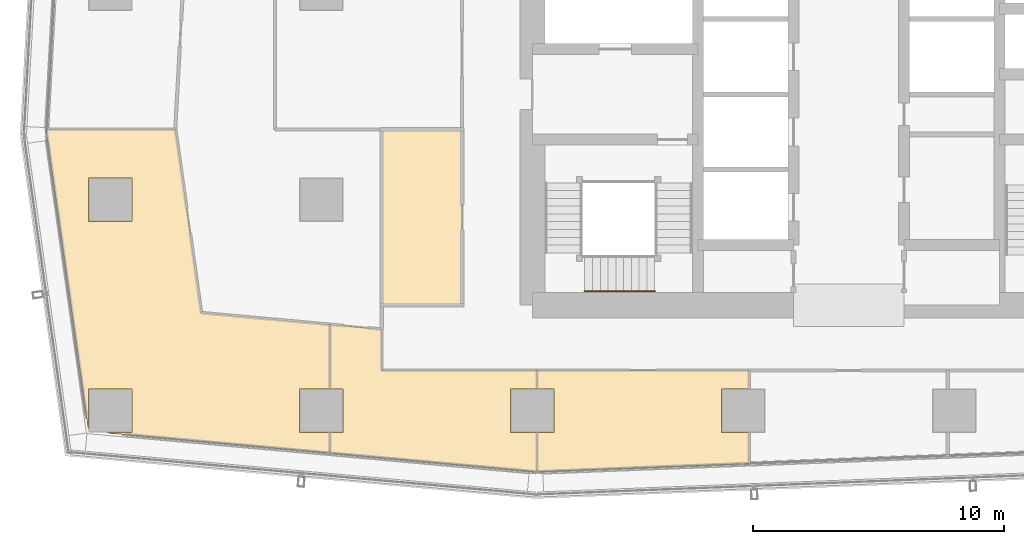
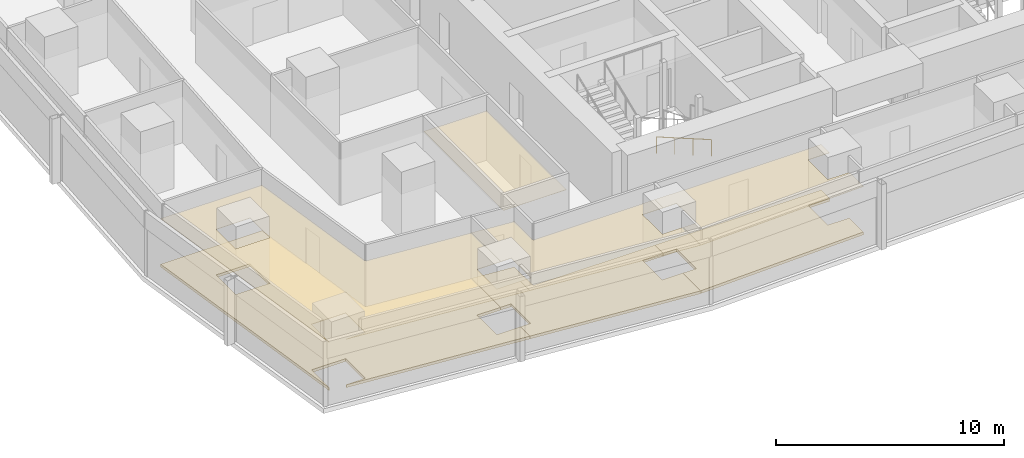
# One storey, part 33 of 40: 7 coverings, 1 railing.
"""IFC4 building model written with IfcOpenShell, lengths in metres."""

import ifcopenshell
import ifcopenshell.guid

model = None  # the IFC model being written
_history = None  # IfcOwnerHistory: only IFC2X3 demands one
_inside = {}  # id of a spatial element -> (the spatial element, [elements in it])
_under = {}  # id of a project, library or spatial element -> (it, [spatial elements below it])
_declared = {}  # id of a project -> (the project, [libraries it declares])
_typed = {}  # id of a type object -> (the type object, [elements of that type])
_made_of = {}  # id of a material, layer set ... -> (it, [elements and type objects made of it])


def new_model(schema):
    """Start an empty IFC model of exactly this schema.

    Asked for "IFC4X3", IfcOpenShell would pick the latest addendum, in which some entities
    have other attributes; the version numbers below select the first issue.
    IFC2X3 requires an IfcOwnerHistory on every rooted entity: one is made here for all.
    """
    global model, _history
    if schema == "IFC4X3":
        model = ifcopenshell.file(schema_version=(4, 3, 0, 0))
    else:
        model = ifcopenshell.file(schema=schema)
    _inside.clear()
    _under.clear()
    _declared.clear()
    _typed.clear()
    _made_of.clear()
    _history = None
    if model.schema == "IFC2X3":
        org = make("IfcOrganization", Name="unknown")
        user = make(
            "IfcPersonAndOrganization",
            ThePerson=make("IfcPerson", FamilyName="unknown"),
            TheOrganization=org,
        )
        app = make(
            "IfcApplication",
            ApplicationDeveloper=org,
            Version="unknown",
            ApplicationFullName="unknown",
            ApplicationIdentifier="unknown",
        )
        _history = make(
            "IfcOwnerHistory",
            OwningUser=user,
            OwningApplication=app,
            ChangeAction="ADDED",
            CreationDate=0,
        )
    return model


def make(cls, **values):
    """One entity of the class cls with the attributes given. An attribute that is None is left unset."""
    return model.create_entity(
        cls, **{name: value for name, value in values.items() if value is not None}
    )


def rooted(cls, **values):
    """An entity with a GlobalId (a new one), such as an element, a storey or a relation."""
    return make(cls, GlobalId=ifcopenshell.guid.new(), OwnerHistory=_history, **values)


def si_unit(unit_type, name, prefix=None):
    """IfcSIUnit, for example si_unit("LENGTHUNIT", "METRE", prefix="MILLI")."""
    return make("IfcSIUnit", UnitType=unit_type, Prefix=prefix, Name=name)


def assignment(units):
    """IfcUnitAssignment: the units of a project."""
    return None if units is None else make("IfcUnitAssignment", Units=units)


def point(xyz):
    """IfcCartesianPoint."""
    return None if xyz is None else make("IfcCartesianPoint", Coordinates=xyz)


def direction(xyz):
    """IfcDirection."""
    return None if xyz is None else make("IfcDirection", DirectionRatios=xyz)


def frame(location, z_axis=None, x_axis=None):
    """IfcAxis2Placement3D, a coordinate frame: its origin and axes. An axis left out is left unset."""
    return make(
        "IfcAxis2Placement3D",
        Location=point(location),
        Axis=direction(z_axis),
        RefDirection=direction(x_axis),
    )


def frame_2d(location, x_axis=None):
    """IfcAxis2Placement2D, a coordinate frame in the plane: its origin and x axis."""
    return make(
        "IfcAxis2Placement2D", Location=point(location), RefDirection=direction(x_axis)
    )


def origin():
    """The frame at (0, 0, 0) with its axes left unset."""
    return frame((0.0, 0.0, 0.0))


def origin_2d():
    """The frame at (0, 0) in the plane with its x axis left unset."""
    return frame_2d((0.0, 0.0))


def place(relative_to, where):
    """IfcLocalPlacement: puts the frame where relative to a parent placement (None: the world)."""
    return make(
        "IfcLocalPlacement", PlacementRelTo=relative_to, RelativePlacement=where
    )


def context(
    kind, dimensions, precision=None, world=None, true_north=None, identifier=None
):
    """IfcGeometricRepresentationContext, for example the 3D "Model" context."""
    return make(
        "IfcGeometricRepresentationContext",
        ContextIdentifier=identifier,
        ContextType=kind,
        CoordinateSpaceDimension=dimensions,
        Precision=precision,
        WorldCoordinateSystem=world,
        TrueNorth=true_north,
    )


def subcontext(parent, identifier, kind, view, scale=None):
    """IfcGeometricRepresentationSubContext, for example "Body" below "Model"."""
    return make(
        "IfcGeometricRepresentationSubContext",
        ContextIdentifier=identifier,
        ContextType=kind,
        ParentContext=parent,
        TargetScale=scale,
        TargetView=view,
    )


def project(units=None, contexts=None):
    """IfcProject with its units and contexts."""
    return rooted(
        "IfcProject",
        Name="project",
        RepresentationContexts=contexts,
        UnitsInContext=assignment(units),
    )


def spatial(cls, under=None, at=None, **own):
    """A site, building, storey or space (cls), placed at a placement, below another one or the project."""
    s = rooted(cls, ObjectPlacement=at, **own)
    if under is not None:
        _under.setdefault(under.id(), (under, []))[1].append(s)
    return s


def polyline(points):
    """IfcPolyline through the points."""
    return make("IfcPolyline", Points=[point(p) for p in points])


def profile(cls, at=None, kind="AREA", **sizes):
    """A parametric profile (cls). Its sizes go by their IFC names, for example OverallWidth=200.0."""
    return make(cls, ProfileType=kind, Position=at, **sizes)


def circle(**sizes):
    """IfcCircleProfileDef."""
    return profile("IfcCircleProfileDef", **sizes)


def outline(outer, holes=None, kind="AREA"):
    """IfcArbitraryClosedProfileDef: a profile drawn as a closed curve; with holes, ...WithVoids."""
    if holes is None:
        return make("IfcArbitraryClosedProfileDef", ProfileType=kind, OuterCurve=outer)
    return make(
        "IfcArbitraryProfileDefWithVoids",
        ProfileType=kind,
        OuterCurve=outer,
        InnerCurves=holes,
    )


def extrude(swept, where, along, depth):
    """IfcExtrudedAreaSolid: the profile swept, set in the frame where, extruded along a direction by depth."""
    return make(
        "IfcExtrudedAreaSolid",
        SweptArea=swept,
        Position=where,
        ExtrudedDirection=direction(along),
        Depth=depth,
    )


def shape(context_of_items, identifier, shape_type, items):
    """IfcShapeRepresentation: the items that make up one representation, for example the "Body"."""
    return make(
        "IfcShapeRepresentation",
        ContextOfItems=context_of_items,
        RepresentationIdentifier=identifier,
        RepresentationType=shape_type,
        Items=items,
    )


def material(Name=None, Category=None):
    """IfcMaterial."""
    return make("IfcMaterial", Name=Name, Category=Category)


def layer(
    of_material, thickness, ventilated=None, Name=None, Category=None, Priority=None
):
    """IfcMaterialLayer: one layer of a wall or slab, of a material (None: an air gap)."""
    return make(
        "IfcMaterialLayer",
        Material=of_material,
        LayerThickness=thickness,
        IsVentilated=ventilated,
        Name=Name,
        Category=Category,
        Priority=Priority,
    )


def layer_set(layers, Name=None):
    """IfcMaterialLayerSet."""
    return make("IfcMaterialLayerSet", MaterialLayers=layers, LayerSetName=Name)


def made_of(thing, what):
    """Note that an element or type object is made of a material, layer set ...; save() writes the relation."""
    if what is not None:
        _made_of.setdefault(what.id(), (what, []))[1].append(thing)
    return thing


def type_object(cls, material=None, **own):
    """A type object (cls), such as IfcWallType, which elements share."""
    return made_of(rooted(cls, **own), material)


def element(
    cls,
    number,
    at=None,
    inside=None,
    cuts=None,
    type_object=None,
    material=None,
    context=None,
    identifier="Body",
    shape_type=None,
    held_by="IfcProductDefinitionShape",
    body=None,
    shapes=None,
    **own,
):
    """One element of the class cls, such as IfcWall. Its Tag is "e" and its number.

    at: its placement. inside: the storey or other place that contains it. cuts: it is an
    opening in that element (IfcRelVoidsElement). A single representation is given by context,
    identifier, shape_type and body (its items); several are given by shapes. held_by: the class
    of the entity that holds the representations. save() writes the other relations.
    """
    e = rooted(cls, Tag="e%d" % number, ObjectPlacement=at, **own)
    if body is not None:
        shapes = [shape(context, identifier, shape_type, body)]
    if shapes is not None:
        e.Representation = make(held_by, Representations=shapes)
    if inside is not None:
        _inside.setdefault(inside.id(), (inside, []))[1].append(e)
    if cuts is not None:
        rooted(
            "IfcRelVoidsElement", RelatingBuildingElement=cuts, RelatedOpeningElement=e
        )
    if type_object is not None:
        _typed.setdefault(type_object.id(), (type_object, []))[1].append(e)
    return made_of(e, material)


def aggregate(whole, parts):
    """IfcRelAggregates: a whole, such as a stair, and the parts it consists of."""
    return rooted("IfcRelAggregates", RelatingObject=whole, RelatedObjects=parts)


def save(model, path):
    """Write the relations noted so far, then the file.

    IfcRelAggregates (storeys below a building ...), IfcRelContainedInSpatialStructure (elements
    in a storey), IfcRelDefinesByType, IfcRelAssociatesMaterial and IfcRelDeclares: one each for
    every whole, place, type object, material and project.
    """
    for whole, parts in _under.values():
        aggregate(whole, parts)
    for where, things in _inside.values():
        rooted(
            "IfcRelContainedInSpatialStructure",
            RelatedElements=things,
            RelatingStructure=where,
        )
    for kind, things in _typed.values():
        rooted("IfcRelDefinesByType", RelatedObjects=things, RelatingType=kind)
    for what, things in _made_of.values():
        rooted("IfcRelAssociatesMaterial", RelatedObjects=things, RelatingMaterial=what)
    for by, libraries in _declared.values():
        rooted("IfcRelDeclares", RelatingContext=by, RelatedDefinitions=libraries)
    model.write(path)


model = new_model("IFC4")

# Units and contexts
model_context = context("Model", 3, precision=1e-05, world=origin(), true_north=direction((0.0, 1.0)))
body_context = subcontext(model_context, "Body", "Model", "MODEL_VIEW")
ifc_project = project(units=[si_unit("LENGTHUNIT", "METRE"), si_unit("AREAUNIT", "SQUARE_METRE"), si_unit("VOLUMEUNIT", "CUBIC_METRE"), si_unit("PLANEANGLEUNIT", "RADIAN"), si_unit("MASSUNIT", "GRAM", prefix="KILO")], contexts=[model_context])

# Site, building, storey
site_placement = place(None, origin())
site = spatial("IfcSite", under=ifc_project, at=site_placement, CompositionType="ELEMENT")
building_placement = place(site_placement, origin())
building = spatial("IfcBuilding", under=site, at=building_placement, Name="Rekha Terrace Tower", CompositionType="ELEMENT")
storey_placement = place(building_placement, frame((0.0, 0.0, 132.800048828125)))
storey = spatial("IfcBuildingStorey", under=building, at=storey_placement, Name="L33", CompositionType="ELEMENT", Elevation=132.800048828125)

# Coverings
ifc_material_1 = material(Name="Mineral fibre tile in exposed grid", Category="finish")
ifc_layer_1 = layer(ifc_material_1, 0.02001953125)
ifc_layer_set_1 = layer_set([ifc_layer_1], Name="Mineral fibre tile in exposed grid")
covering_type_1 = type_object("IfcCoveringType", Name="CL1 600x1200 office grid ceiling", PredefinedType="CEILING", material=ifc_layer_set_1)
covering_1_placement = place(storey_placement, frame((0.0, 0.0, 2.579833984375)))
element("IfcCovering", 1, at=covering_1_placement, inside=storey, type_object=covering_type_1, Name="Ceiling L33-08", PredefinedType="CEILING", context=body_context, shape_type="SweptSolid", body=[
    extrude(outline(polyline([(33.824951171875, 17.6650390625), (33.824951171875, 18.39990234375), (25.3798828125, 18.39990234375), (25.3798828125, 17.6650390625), (26.06494140625, 17.6650390625), (26.06494140625, 15.93505859375), (25.3798828125, 15.93505859375), (25.3798828125, 14.363037109375), (33.824951171875, 14.69189453125), (33.824951171875, 15.93505859375), (32.735107421875, 15.93505859375), (32.735107421875, 17.6650390625), (33.824951171875, 17.6650390625)])), origin(), (0.0, 0.0, 1.0), 0.02001953125),
])
covering_2_placement = place(storey_placement, frame((0.0, 0.0, 2.579833984375)))
element("IfcCovering", 2, at=covering_2_placement, inside=storey, type_object=covering_type_1, Name="Ceiling L33-16", PredefinedType="CEILING", context=body_context, shape_type="SweptSolid", body=[
    extrude(outline(polyline([(7.514892578125, 16.096923828125), (7.534912109375, 16.097900390625), (7.534912109375, 17.6650390625), (9.264892578125, 17.6650390625), (9.264892578125, 15.93505859375), (8.283935546875, 15.93505859375), (8.282958984375, 15.912109375), (17.134033203125, 15.10791015625), (17.134033203125, 15.93505859375), (15.93505859375, 15.93505859375), (15.93505859375, 17.6650390625), (17.134033203125, 17.6650390625), (17.134033203125, 20.22900390625), (12.01806640625, 20.694091796875), (10.988037109375, 27.9990234375), (5.837890625, 27.9990234375), (7.514892578125, 16.096923828125)]), holes=[polyline([(9.264892578125, 24.3349609375), (7.534912109375, 24.3349609375), (7.534912109375, 26.06494140625), (9.264892578125, 26.06494140625), (9.264892578125, 24.3349609375)])]), origin(), (0.0, 0.0, 1.0), 0.02001953125),
])
covering_3_placement = place(storey_placement, frame((0.0, 0.0, 2.579833984375)))
element("IfcCovering", 3, at=covering_3_placement, inside=storey, type_object=covering_type_1, Name="Ceiling L33-17", PredefinedType="CEILING", context=body_context, shape_type="SweptSolid", body=[
    extrude(outline(polyline([(25.37890625, 17.6650390625), (25.37890625, 18.39990234375), (19.199951171875, 18.39990234375), (19.199951171875, 20.041015625), (17.135009765625, 20.22900390625), (17.135009765625, 17.6650390625), (17.6650390625, 17.6650390625), (17.6650390625, 15.93505859375), (17.135009765625, 15.93505859375), (17.135009765625, 15.10791015625), (25.37890625, 14.35888671875), (25.37890625, 15.93505859375), (24.3349609375, 15.93505859375), (24.3349609375, 17.6650390625), (25.37890625, 17.6650390625)])), origin(), (0.0, 0.0, 1.0), 0.02001953125),
])
ifc_material_2 = material(Name="Fibre cement board", Category="finish")
ifc_layer_2 = layer(ifc_material_2, 0.014892578125)
ifc_layer_set_2 = layer_set([ifc_layer_2], Name="Fibre cement board")
covering_type_2 = type_object("IfcCoveringType", Name="CL2 moisture-resistant board ceiling", PredefinedType="CEILING", material=ifc_layer_set_2)
covering_4_placement = place(storey_placement, frame((0.0, 0.0, 2.5849609375)))
element("IfcCovering", 4, at=covering_4_placement, inside=storey, type_object=covering_type_2, Name="Ceiling L33-WCM", PredefinedType="CEILING", context=body_context, shape_type="SweptSolid", body=[
    extrude(outline(polyline([(22.39990234375, 28.0), (19.199951171875, 28.0), (19.199951171875, 21.0), (22.39990234375, 21.0), (22.39990234375, 28.0)])), origin(), (0.0, 0.0, 1.0), 0.014892578125),
])

# Railing
ifc_material_3 = material(Name="Stainless steel tube", Category="steel")
railing_type = type_object("IfcRailingType", Name="HR1 900 stair handrail", PredefinedType="HANDRAIL", material=ifc_material_3)
railing_placement = place(storey_placement, frame((30.074951171875, 21.56005859375, 1.375)))
element("IfcRailing", 5, at=railing_placement, inside=storey, type_object=railing_type, Name="Handrail ST1 L33 flight 2", PredefinedType="HANDRAIL", context=body_context, shape_type="SweptSolid", body=[
    extrude(circle(Radius=0.02392578125, at=origin_2d()), frame((0.0, 0.0, 0.8759765625), z_axis=(-0.927443287984, 0.0, 0.373963831907), x_axis=(0.0, -1.0, 0.0)), (0.0, 0.0, 1.0), 3.00830078125),
    extrude(circle(Radius=0.02099609375, at=origin_2d()), origin(), (0.0, 0.0, 1.0), 0.851806640625),
    extrude(circle(Radius=0.02099609375, at=origin_2d()), frame((-0.929931640625, 0.0, 0.375)), (0.0, 0.0, 1.0), 0.851806640625),
    extrude(circle(Radius=0.02099609375, at=origin_2d()), frame((-1.860107421875, 0.0, 0.75)), (0.0, 0.0, 1.0), 0.851806640625),
    extrude(circle(Radius=0.02099609375, at=origin_2d()), frame((-2.7900390625, 0.0, 1.125)), (0.0, 0.0, 1.0), 0.851806640625),
])

# Coverings
ifc_material_4 = material(Name="Calcium sulphate panels on steel pedestals", Category="steel")
ifc_layer_3 = layer(ifc_material_4, 0.14990234375)
ifc_layer_set_3 = layer_set([ifc_layer_3], Name="Calcium sulphate panels on steel pedestals")
covering_type_3 = type_object("IfcCoveringType", Name="RF1 150 raised access floor", PredefinedType="FLOORING", material=ifc_layer_set_3)
covering_5_placement = place(storey_placement, origin())
element("IfcCovering", 6, at=covering_5_placement, inside=storey, type_object=covering_type_3, Name="Raised floor L33-08", PredefinedType="FLOORING", context=body_context, shape_type="SweptSolid", body=[
    extrude(outline(polyline([(33.824951171875, 17.6650390625), (33.824951171875, 18.39990234375), (25.3798828125, 18.39990234375), (25.3798828125, 17.6650390625), (26.06494140625, 17.6650390625), (26.06494140625, 15.93505859375), (25.3798828125, 15.93505859375), (25.3798828125, 14.363037109375), (33.824951171875, 14.69189453125), (33.824951171875, 15.93505859375), (32.735107421875, 15.93505859375), (32.735107421875, 17.6650390625), (33.824951171875, 17.6650390625)])), origin(), (0.0, 0.0, 1.0), 0.14990234375),
])
covering_6_placement = place(storey_placement, origin())
element("IfcCovering", 7, at=covering_6_placement, inside=storey, type_object=covering_type_3, Name="Raised floor L33-16", PredefinedType="FLOORING", context=body_context, shape_type="SweptSolid", body=[
    extrude(outline(polyline([(7.514892578125, 16.096923828125), (7.534912109375, 16.097900390625), (7.534912109375, 17.6650390625), (9.264892578125, 17.6650390625), (9.264892578125, 15.93505859375), (8.283935546875, 15.93505859375), (8.282958984375, 15.912109375), (17.134033203125, 15.10791015625), (17.134033203125, 15.93505859375), (15.93505859375, 15.93505859375), (15.93505859375, 17.6650390625), (17.134033203125, 17.6650390625), (17.134033203125, 20.22900390625), (12.01806640625, 20.694091796875), (10.988037109375, 27.9990234375), (5.837890625, 27.9990234375), (7.514892578125, 16.096923828125)]), holes=[polyline([(9.264892578125, 24.3349609375), (7.534912109375, 24.3349609375), (7.534912109375, 26.06494140625), (9.264892578125, 26.06494140625), (9.264892578125, 24.3349609375)])]), origin(), (0.0, 0.0, 1.0), 0.14990234375),
])
covering_7_placement = place(storey_placement, origin())
element("IfcCovering", 8, at=covering_7_placement, inside=storey, type_object=covering_type_3, Name="Raised floor L33-17", PredefinedType="FLOORING", context=body_context, shape_type="SweptSolid", body=[
    extrude(outline(polyline([(25.37890625, 17.6650390625), (25.37890625, 18.39990234375), (19.199951171875, 18.39990234375), (19.199951171875, 20.041015625), (17.135009765625, 20.22900390625), (17.135009765625, 17.6650390625), (17.6650390625, 17.6650390625), (17.6650390625, 15.93505859375), (17.135009765625, 15.93505859375), (17.135009765625, 15.10791015625), (25.37890625, 14.35888671875), (25.37890625, 15.93505859375), (24.3349609375, 15.93505859375), (24.3349609375, 17.6650390625), (25.37890625, 17.6650390625)])), origin(), (0.0, 0.0, 1.0), 0.14990234375),
])

save(model, "model.ifc")
